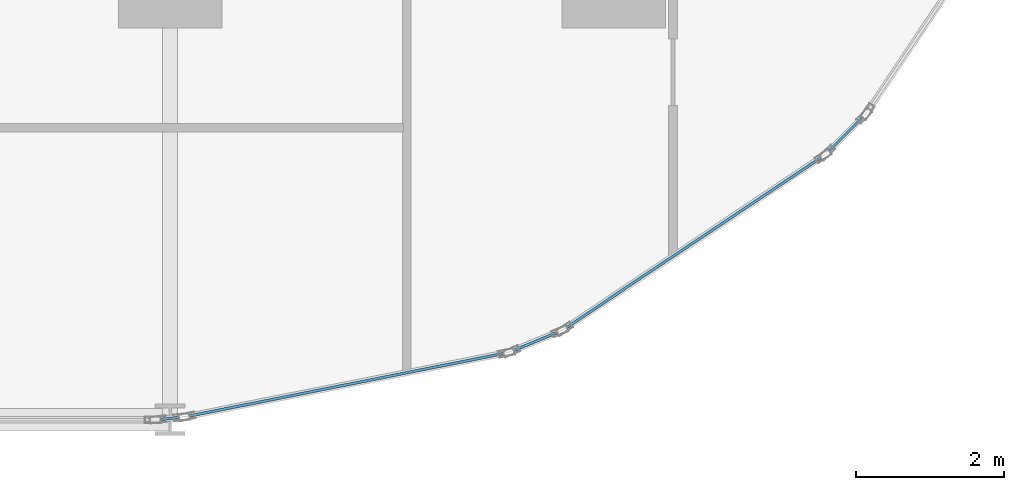
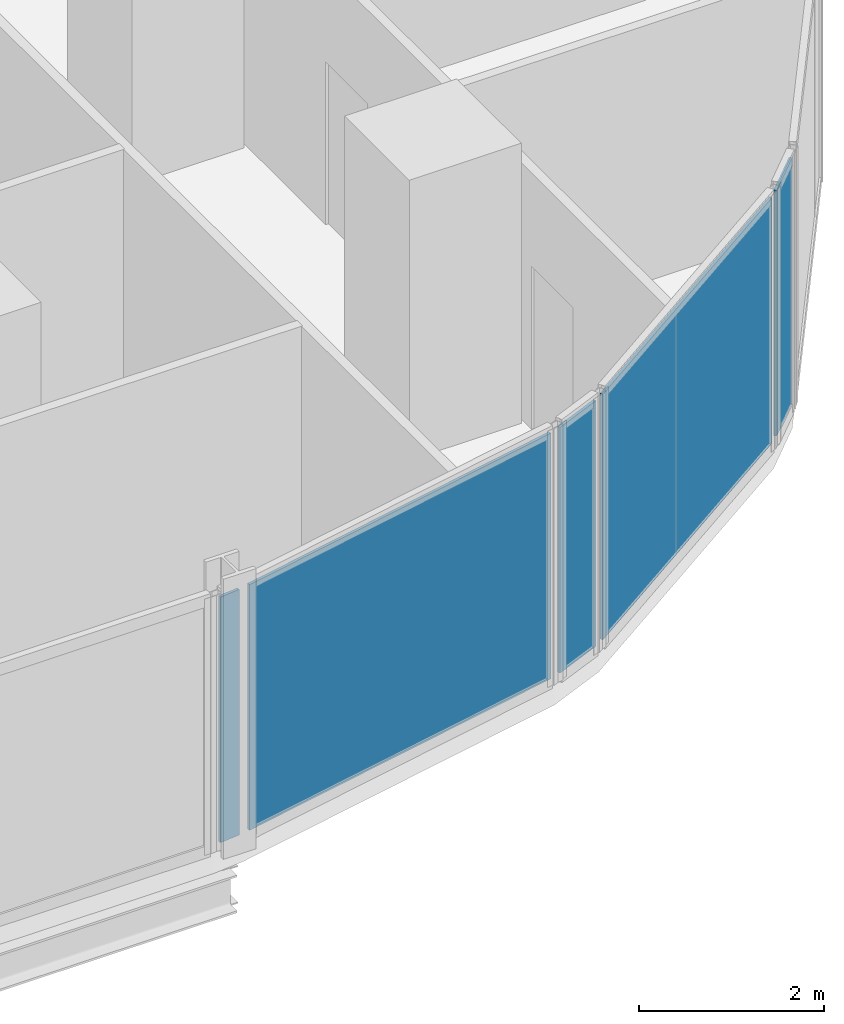
# One storey, part 22 of 34: 5 plates, 5 elements without a shape of their own.
"""IFC4 building model written with IfcOpenShell, lengths in metres."""

from ifc_helpers import new_model, si_unit, direction, frame, origin, origin_2d, place, context, subcontext, project, spatial, rectangle, extrude, material, layer, layer_set, type_object, element, aggregate, save


model = new_model("IFC4")

# Units and contexts
model_context = context("Model", 3, precision=1e-05, world=origin(), true_north=direction((0.0, 1.0)))
body_context = subcontext(model_context, "Body", "Model", "MODEL_VIEW")
ifc_project = project(units=[si_unit("LENGTHUNIT", "METRE"), si_unit("AREAUNIT", "SQUARE_METRE"), si_unit("VOLUMEUNIT", "CUBIC_METRE"), si_unit("PLANEANGLEUNIT", "RADIAN"), si_unit("MASSUNIT", "GRAM", prefix="KILO")], contexts=[model_context])

# Site, building, storey
site_placement = place(None, origin())
site = spatial("IfcSite", under=ifc_project, at=site_placement, CompositionType="ELEMENT")
building_placement = place(site_placement, origin())
building = spatial("IfcBuilding", under=site, at=building_placement, Name="Keshet Zoharim Tower", CompositionType="ELEMENT")
storey_placement = place(building_placement, frame((0.0, 0.0, 31.39990234375)))
storey = spatial("IfcBuildingStorey", under=building, at=storey_placement, Name="L06", CompositionType="ELEMENT", Elevation=31.39990234375)

# Curtain wall, plate
ifc_material_1 = material(Name="Aluminium 6063-T6", Category="aluminium")
ifc_layer_1 = layer(ifc_material_1, 0.179931640625)
ifc_layer_set_1 = layer_set([ifc_layer_1], Name="Aluminium 6063-T6")
curtain_wall_type = type_object("IfcCurtainWallType", Name="CW-SYS-01", PredefinedType="NOTDEFINED", material=ifc_layer_set_1)
curtain_wall_1_placement = place(storey_placement, origin())
curtain_wall_1 = element("IfcCurtainWall", 1, at=curtain_wall_1_placement, inside=storey, type_object=curtain_wall_type, Name="L06 Unitised Curtain Wall 21", PredefinedType="NOTDEFINED")
ifc_material_2 = material(Name="Insulated Low-E Clear Glass", Category="glass")
ifc_layer_2 = layer(ifc_material_2, 0.035888671875)
ifc_layer_set_2 = layer_set([ifc_layer_2], Name="Insulated Low-E Clear Glass")
plate_type = type_object("IfcPlateType", Name="CWP-01", PredefinedType="CURTAIN_PANEL", material=ifc_layer_set_2)
plate_1_placement = place(storey_placement, frame((66.137451171875, 4.5625, 0.070068359375), z_axis=(0.0, 0.0, 1.0), x_axis=(-0.707106781187, -0.707106781187, 0.0)))
plate_1 = element("IfcPlate", 2, at=plate_1_placement, type_object=plate_type, Name="CW-01 panel 1.1", PredefinedType="CURTAIN_PANEL", context=body_context, shape_type="SweptSolid", body=[
    extrude(rectangle(XDim=0.63916015625, YDim=0.035888671875, at=origin_2d()), origin(), (0.0, 0.0, 1.0), 3.2451171875),
])
aggregate(curtain_wall_1, [plate_1])

curtain_wall_2_placement = place(storey_placement, origin())
curtain_wall_2 = element("IfcCurtainWall", 3, at=curtain_wall_2_placement, inside=storey, type_object=curtain_wall_type, Name="L06 Unitised Curtain Wall 22", PredefinedType="NOTDEFINED")
plate_2_placement = place(storey_placement, frame((64.083984375, 3.09912109375, 0.070068359375), z_axis=(0.0, 0.0, 1.0), x_axis=(-0.831474282335, -0.555563243758, 0.0)))
plate_2 = element("IfcPlate", 4, at=plate_2_placement, type_object=plate_type, Name="CW-01 panel 1.1", PredefinedType="CURTAIN_PANEL", context=body_context, shape_type="SweptSolid", body=[
    extrude(rectangle(XDim=4.13671875, YDim=0.035888671875, at=origin_2d()), origin(), (0.0, 0.0, 1.0), 3.2451171875),
])
aggregate(curtain_wall_2, [plate_2])

curtain_wall_3_placement = place(storey_placement, origin())
curtain_wall_3 = element("IfcCurtainWall", 5, at=curtain_wall_3_placement, inside=storey, type_object=curtain_wall_type, Name="L06 Unitised Curtain Wall 23", PredefinedType="NOTDEFINED")
plate_3_placement = place(storey_placement, frame((61.945556640625, 1.761474609375, 0.070068359375), z_axis=(0.0, 0.0, 1.0), x_axis=(-0.923720000557, -0.383068349739, 0.0)))
plate_3 = element("IfcPlate", 6, at=plate_3_placement, type_object=plate_type, Name="CW-01 panel 1.1", PredefinedType="CURTAIN_PANEL", context=body_context, shape_type="SweptSolid", body=[
    extrude(rectangle(XDim=0.640625, YDim=0.035888671875, at=origin_2d()), origin(), (0.0, 0.0, 1.0), 3.2451171875),
])
aggregate(curtain_wall_3, [plate_3])

curtain_wall_4_placement = place(storey_placement, origin())
curtain_wall_4 = element("IfcCurtainWall", 7, at=curtain_wall_4_placement, inside=storey, type_object=curtain_wall_type, Name="L06 Unitised Curtain Wall 24", PredefinedType="NOTDEFINED")
plate_4_placement = place(storey_placement, frame((59.388916015625, 1.175048828125, 0.070068359375), z_axis=(0.0, 0.0, 1.0), x_axis=(-0.98076917357, -0.195171279072, 0.0)))
plate_4 = element("IfcPlate", 8, at=plate_4_placement, type_object=plate_type, Name="CW-01 panel 1.1", PredefinedType="CURTAIN_PANEL", context=body_context, shape_type="SweptSolid", body=[
    extrude(rectangle(XDim=4.338134765625, YDim=0.035888671875, at=origin_2d()), origin(), (0.0, 0.0, 1.0), 3.2451171875),
])
aggregate(curtain_wall_4, [plate_4])

curtain_wall_5_placement = place(storey_placement, origin())
curtain_wall_5 = element("IfcCurtainWall", 9, at=curtain_wall_5_placement, inside=storey, type_object=curtain_wall_type, Name="L06 Unitised Curtain Wall 25", PredefinedType="NOTDEFINED")
plate_5_placement = place(storey_placement, frame((56.998046875, 0.718994140625, 0.070068359375), z_axis=(0.0, 0.0, 1.0), x_axis=(-0.995286657009, -0.096976648633, 0.0)))
plate_5 = element("IfcPlate", 10, at=plate_5_placement, type_object=plate_type, Name="CW-01 panel 1.1", PredefinedType="CURTAIN_PANEL", context=body_context, shape_type="SweptSolid", body=[
    extrude(rectangle(XDim=0.251953125, YDim=0.035888671875, at=origin_2d()), origin(), (0.0, 0.0, 1.0), 3.2451171875),
])
aggregate(curtain_wall_5, [plate_5])

save(model, "model.ifc")
